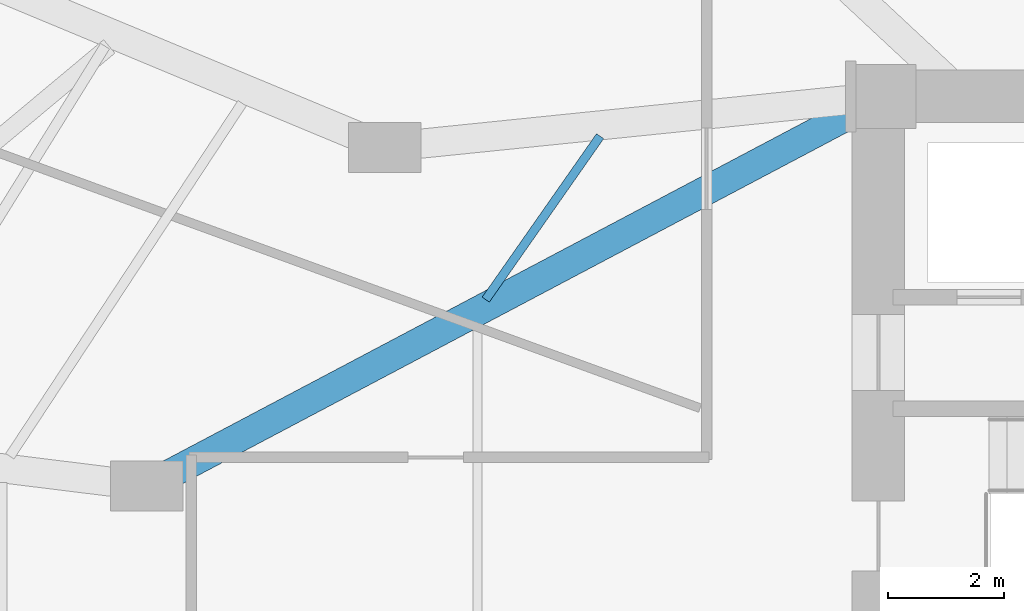
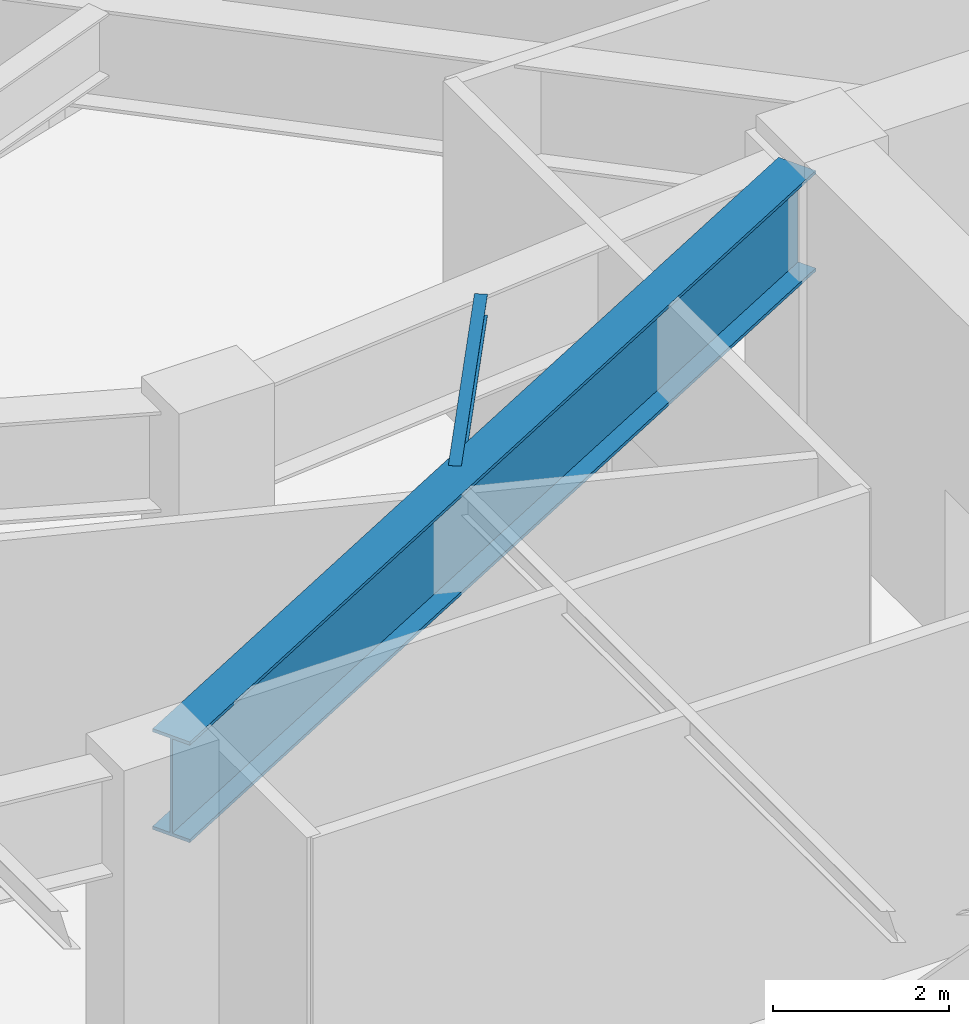
# One storey, part 9 of 24: 2 beams.
"""IFC4 building model written with IfcOpenShell, lengths in metres."""

from ifc_helpers import new_model, si_unit, direction, frame, origin, origin_2d, place, context, subcontext, project, spatial, i_section, extrude, material, material_profile, profile_set, type_object, element, save


model = new_model("IFC4")

# Units and contexts
model_context = context("Model", 3, precision=1e-05, world=origin(), true_north=direction((0.0, 1.0)))
body_context = subcontext(model_context, "Body", "Model", "MODEL_VIEW")
ifc_project = project(units=[si_unit("LENGTHUNIT", "METRE"), si_unit("AREAUNIT", "SQUARE_METRE"), si_unit("VOLUMEUNIT", "CUBIC_METRE"), si_unit("PLANEANGLEUNIT", "RADIAN"), si_unit("MASSUNIT", "GRAM", prefix="KILO")], contexts=[model_context])

# Site, building, storey
site_placement = place(None, origin())
site = spatial("IfcSite", under=ifc_project, at=site_placement, CompositionType="ELEMENT")
building_placement = place(site_placement, origin())
building = spatial("IfcBuilding", under=site, at=building_placement, Name="Lazwardi Medical Tower", CompositionType="ELEMENT")
storey_placement = place(building_placement, frame((0.0, 0.0, 20.39990234375)))
storey = spatial("IfcBuildingStorey", under=building, at=storey_placement, Name="L04", CompositionType="ELEMENT", Elevation=20.39990234375)

# Beams
ifc_material_1 = material(Name="Steel S355", Category="steel")
ifc_material_profile_1 = material_profile(ifc_material_1, i_section(OverallWidth=0.14990234375, OverallDepth=0.300048828125, WebThickness=0.007080078125, FlangeThickness=0.0107421875, at=origin_2d()), Name="IPE 300")
ifc_profile_set_1 = profile_set([ifc_material_profile_1], Name="Steel S355")
beam_type_1 = type_object("IfcBeamType", Name="BM-SJ-03", PredefinedType="JOIST", material=ifc_profile_set_1)
beam_1_placement = place(storey_placement, frame((21.521484375, 34.915283203125, 4.43017578125), z_axis=(-0.573409717296, -0.819268756947, 0.0), x_axis=(0.819268756947, -0.573409717296, 0.0)))
element("IfcBeam", 1, at=beam_1_placement, inside=storey, type_object=beam_type_1, Name="Secondary joist SJ-03 RI1 B11 L04", PredefinedType="JOIST", context=body_context, shape_type="SweptSolid", body=[
    extrude(i_section(OverallWidth=0.14990234375, OverallDepth=0.300048828125, WebThickness=0.007080078125, FlangeThickness=0.0107421875, at=origin_2d()), origin(), (0.0, 0.0, 1.0), 3.4248046875),
])
ifc_material_2 = material(Name="Steel S460", Category="steel")
ifc_material_profile_2 = material_profile(ifc_material_2, i_section(OverallWidth=0.5, OverallDepth=1.39990234375, WebThickness=0.028076171875, FlangeThickness=0.044921875, at=origin_2d()), Name="PG 1400x500")
ifc_profile_set_2 = profile_set([ifc_material_profile_2], Name="Steel S460")
beam_type_2 = type_object("IfcBeamType", Name="BM-TG-01", PredefinedType="BEAM", material=ifc_profile_set_2)
beam_2_placement = place(storey_placement, frame((14.090576171875, 29.093017578125, 3.880126953125), z_axis=(0.884073844977, 0.467347233466, 0.0), x_axis=(-0.467347233466, 0.884073844977, 0.0)))
element("IfcBeam", 2, at=beam_2_placement, inside=storey, type_object=beam_type_2, Name="Transfer girder TG-01 M12B L04", PredefinedType="BEAM", context=body_context, shape_type="SweptSolid", body=[
    extrude(i_section(OverallWidth=0.5, OverallDepth=1.39990234375, WebThickness=0.028076171875, FlangeThickness=0.044921875, at=origin_2d()), origin(), (0.0, 0.0, 1.0), 13.388427734375),
])

save(model, "model.ifc")
